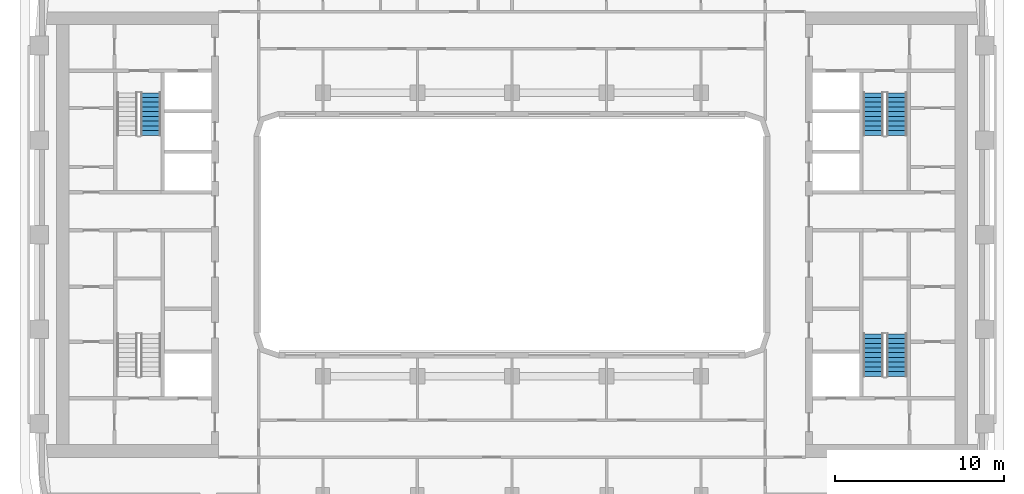
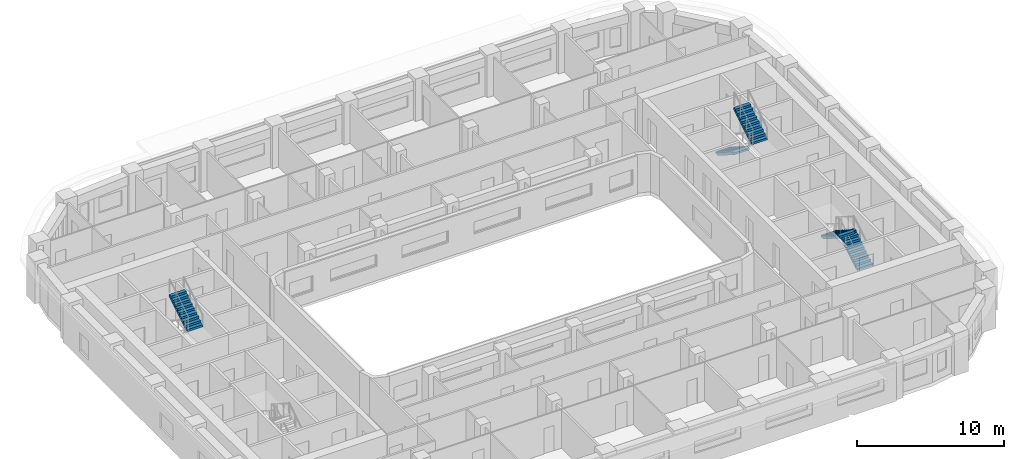
# One storey, part 10 of 22: 5 stair flights, 3 elements without a shape of their own.
"""IFC4 building model written with IfcOpenShell, lengths in metres."""

from ifc_helpers import new_model, si_unit, direction, frame, origin, place, context, subcontext, project, spatial, polyline, outline, extrude, material, type_object, element, aggregate, save


model = new_model("IFC4")

# Units and contexts
model_context = context("Model", 3, precision=1e-05, world=origin(), true_north=direction((0.0, 1.0)))
body_context = subcontext(model_context, "Body", "Model", "MODEL_VIEW")
ifc_project = project(units=[si_unit("LENGTHUNIT", "METRE"), si_unit("AREAUNIT", "SQUARE_METRE"), si_unit("VOLUMEUNIT", "CUBIC_METRE"), si_unit("PLANEANGLEUNIT", "RADIAN"), si_unit("MASSUNIT", "GRAM", prefix="KILO")], contexts=[model_context])

# Site, building, storey
site_placement = place(None, origin())
site = spatial("IfcSite", under=ifc_project, at=site_placement, CompositionType="ELEMENT")
building_placement = place(site_placement, origin())
building = spatial("IfcBuilding", under=site, at=building_placement, Name="Kiln Ring Residences", CompositionType="ELEMENT")
storey_placement = place(building_placement, frame((0.0, 0.0, 153.60009765625)))
storey = spatial("IfcBuildingStorey", under=building, at=storey_placement, Name="L39", CompositionType="ELEMENT", Elevation=153.60009765625)

# Stair, stair flight
ifc_material_1 = material(Name="Concrete C40/50", Category="concrete")
stair_type = type_object("IfcStairType", Name="CORE-STAIR", PredefinedType="HALF_TURN_STAIR", material=ifc_material_1)
placement = place(storey_placement, origin())
stair_1 = element("IfcStair", 1, at=placement, inside=storey, type_object=stair_type, Name="L39 stair W-STN", PredefinedType="HALF_TURN_STAIR")
ifc_material_2 = material(Name="Concrete C40/50", Category="concrete")
stair_flight_type = type_object("IfcStairFlightType", Name="CORE-STAIR-FLIGHT", PredefinedType="STRAIGHT", material=ifc_material_2)
stair_flight_1_placement = place(storey_placement, frame((-21.39990234375, 5.8798828125, 1.75), z_axis=(0.0, 0.0, 1.0), x_axis=(0.0, 1.0, 0.0)))
stair_flight_1 = element("IfcStairFlight", 2, at=stair_flight_1_placement, type_object=stair_flight_type, Name="W-STN flight 2", NumberOfRisers=10, NumberOfTreads=9, PredefinedType="STRAIGHT", RiserHeight=0.175, TreadLength=0.28, context=body_context, shape_type="SweptSolid", body=[
    extrude(outline(polyline([(0.0, 0.0), (0.0, 0.175048828125), (0.280029296875, 0.175048828125), (0.280029296875, 0.35009765625), (0.56005859375, 0.35009765625), (0.56005859375, 0.52490234375), (0.840087890625, 0.52490234375), (0.840087890625, 0.699951171875), (1.1201171875, 0.699951171875), (1.1201171875, 0.875), (1.39990234375, 0.875), (1.39990234375, 1.050048828125), (1.679931640625, 1.050048828125), (1.679931640625, 1.22509765625), (1.9599609375, 1.22509765625), (1.9599609375, 1.39990234375), (2.239990234375, 1.39990234375), (2.239990234375, 1.574951171875), (2.52001953125, 1.574951171875), (2.52001953125, 1.75), (2.52001953125, 1.398193359375), (0.28271484375, 0.0), (0.0, 0.0)])), frame((0.0, 0.60009765625, 0.0), z_axis=(0.0, -1.0, 0.0), x_axis=(1.0, 0.0, 0.0)), (0.0, 0.0, 1.0), 1.199951171875),
])
aggregate(stair_1, [stair_flight_1])

# Stair, stair flights
stair_2 = element("IfcStair", 3, at=placement, inside=storey, type_object=stair_type, Name="L39 stair E-STN", PredefinedType="HALF_TURN_STAIR")
stair_flight_2_placement = place(storey_placement, frame((21.39990234375, 8.39990234375, 0.0), z_axis=(0.0, 0.0, 1.0), x_axis=(0.0, -1.0, 0.0)))
stair_flight_2 = element("IfcStairFlight", 4, at=stair_flight_2_placement, type_object=stair_flight_type, Name="E-STN flight 1", NumberOfRisers=10, NumberOfTreads=9, PredefinedType="STRAIGHT", RiserHeight=0.175, TreadLength=0.28, context=body_context, shape_type="SweptSolid", body=[
    extrude(outline(polyline([(0.0, 0.0), (0.0, 0.175048828125), (0.280029296875, 0.175048828125), (0.280029296875, 0.35009765625), (0.56005859375, 0.35009765625), (0.56005859375, 0.52490234375), (0.840087890625, 0.52490234375), (0.840087890625, 0.699951171875), (1.1201171875, 0.699951171875), (1.1201171875, 0.875), (1.39990234375, 0.875), (1.39990234375, 1.050048828125), (1.679931640625, 1.050048828125), (1.679931640625, 1.22509765625), (1.9599609375, 1.22509765625), (1.9599609375, 1.39990234375), (2.239990234375, 1.39990234375), (2.239990234375, 1.574951171875), (2.52001953125, 1.574951171875), (2.52001953125, 1.75), (2.52001953125, 1.398193359375), (0.28271484375, 0.0), (0.0, 0.0)])), frame((0.0, 0.60009765625, 0.0), z_axis=(0.0, -1.0, 0.0), x_axis=(1.0, 0.0, 0.0)), (0.0, 0.0, 1.0), 1.199951171875),
])
stair_flight_3_placement = place(storey_placement, frame((22.800048828125, 5.8798828125, 1.75), z_axis=(0.0, 0.0, 1.0), x_axis=(0.0, 1.0, 0.0)))
stair_flight_3 = element("IfcStairFlight", 5, at=stair_flight_3_placement, type_object=stair_flight_type, Name="E-STN flight 2", NumberOfRisers=10, NumberOfTreads=9, PredefinedType="STRAIGHT", RiserHeight=0.175, TreadLength=0.28, context=body_context, shape_type="SweptSolid", body=[
    extrude(outline(polyline([(0.0, 0.0), (0.0, 0.175048828125), (0.280029296875, 0.175048828125), (0.280029296875, 0.35009765625), (0.56005859375, 0.35009765625), (0.56005859375, 0.52490234375), (0.840087890625, 0.52490234375), (0.840087890625, 0.699951171875), (1.1201171875, 0.699951171875), (1.1201171875, 0.875), (1.39990234375, 0.875), (1.39990234375, 1.050048828125), (1.679931640625, 1.050048828125), (1.679931640625, 1.22509765625), (1.9599609375, 1.22509765625), (1.9599609375, 1.39990234375), (2.239990234375, 1.39990234375), (2.239990234375, 1.574951171875), (2.52001953125, 1.574951171875), (2.52001953125, 1.75), (2.52001953125, 1.398193359375), (0.28271484375, 0.0), (0.0, 0.0)])), frame((0.0, 0.60009765625, 0.0), z_axis=(0.0, -1.0, 0.0), x_axis=(1.0, 0.0, 0.0)), (0.0, 0.0, 1.0), 1.199951171875),
])
aggregate(stair_2, [stair_flight_2, stair_flight_3])

stair_3 = element("IfcStair", 6, at=placement, inside=storey, type_object=stair_type, Name="L39 stair E-STS", PredefinedType="HALF_TURN_STAIR")
stair_flight_4_placement = place(storey_placement, frame((22.800048828125, -8.39990234375, 0.0), z_axis=(0.0, 0.0, 1.0), x_axis=(0.0, 1.0, 0.0)))
stair_flight_4 = element("IfcStairFlight", 7, at=stair_flight_4_placement, type_object=stair_flight_type, Name="E-STS flight 1", NumberOfRisers=10, NumberOfTreads=9, PredefinedType="STRAIGHT", RiserHeight=0.175, TreadLength=0.28, context=body_context, shape_type="SweptSolid", body=[
    extrude(outline(polyline([(0.0, 0.0), (0.0, 0.175048828125), (0.280029296875, 0.175048828125), (0.280029296875, 0.35009765625), (0.56005859375, 0.35009765625), (0.56005859375, 0.52490234375), (0.840087890625, 0.52490234375), (0.840087890625, 0.699951171875), (1.1201171875, 0.699951171875), (1.1201171875, 0.875), (1.39990234375, 0.875), (1.39990234375, 1.050048828125), (1.679931640625, 1.050048828125), (1.679931640625, 1.22509765625), (1.9599609375, 1.22509765625), (1.9599609375, 1.39990234375), (2.239990234375, 1.39990234375), (2.239990234375, 1.574951171875), (2.52001953125, 1.574951171875), (2.52001953125, 1.75), (2.52001953125, 1.398193359375), (0.28271484375, 0.0), (0.0, 0.0)])), frame((0.0, 0.60009765625, 0.0), z_axis=(0.0, -1.0, 0.0), x_axis=(1.0, 0.0, 0.0)), (0.0, 0.0, 1.0), 1.199951171875),
])
stair_flight_5_placement = place(storey_placement, frame((21.39990234375, -5.8798828125, 1.75), z_axis=(0.0, 0.0, 1.0), x_axis=(0.0, -1.0, 0.0)))
stair_flight_5 = element("IfcStairFlight", 8, at=stair_flight_5_placement, type_object=stair_flight_type, Name="E-STS flight 2", NumberOfRisers=10, NumberOfTreads=9, PredefinedType="STRAIGHT", RiserHeight=0.175, TreadLength=0.28, context=body_context, shape_type="SweptSolid", body=[
    extrude(outline(polyline([(0.0, 0.0), (0.0, 0.175048828125), (0.280029296875, 0.175048828125), (0.280029296875, 0.35009765625), (0.56005859375, 0.35009765625), (0.56005859375, 0.52490234375), (0.840087890625, 0.52490234375), (0.840087890625, 0.699951171875), (1.1201171875, 0.699951171875), (1.1201171875, 0.875), (1.39990234375, 0.875), (1.39990234375, 1.050048828125), (1.679931640625, 1.050048828125), (1.679931640625, 1.22509765625), (1.9599609375, 1.22509765625), (1.9599609375, 1.39990234375), (2.239990234375, 1.39990234375), (2.239990234375, 1.574951171875), (2.52001953125, 1.574951171875), (2.52001953125, 1.75), (2.52001953125, 1.398193359375), (0.28271484375, 0.0), (0.0, 0.0)])), frame((0.0, 0.60009765625, 0.0), z_axis=(0.0, -1.0, 0.0), x_axis=(1.0, 0.0, 0.0)), (0.0, 0.0, 1.0), 1.199951171875),
])
aggregate(stair_3, [stair_flight_4, stair_flight_5])

save(model, "model.ifc")
